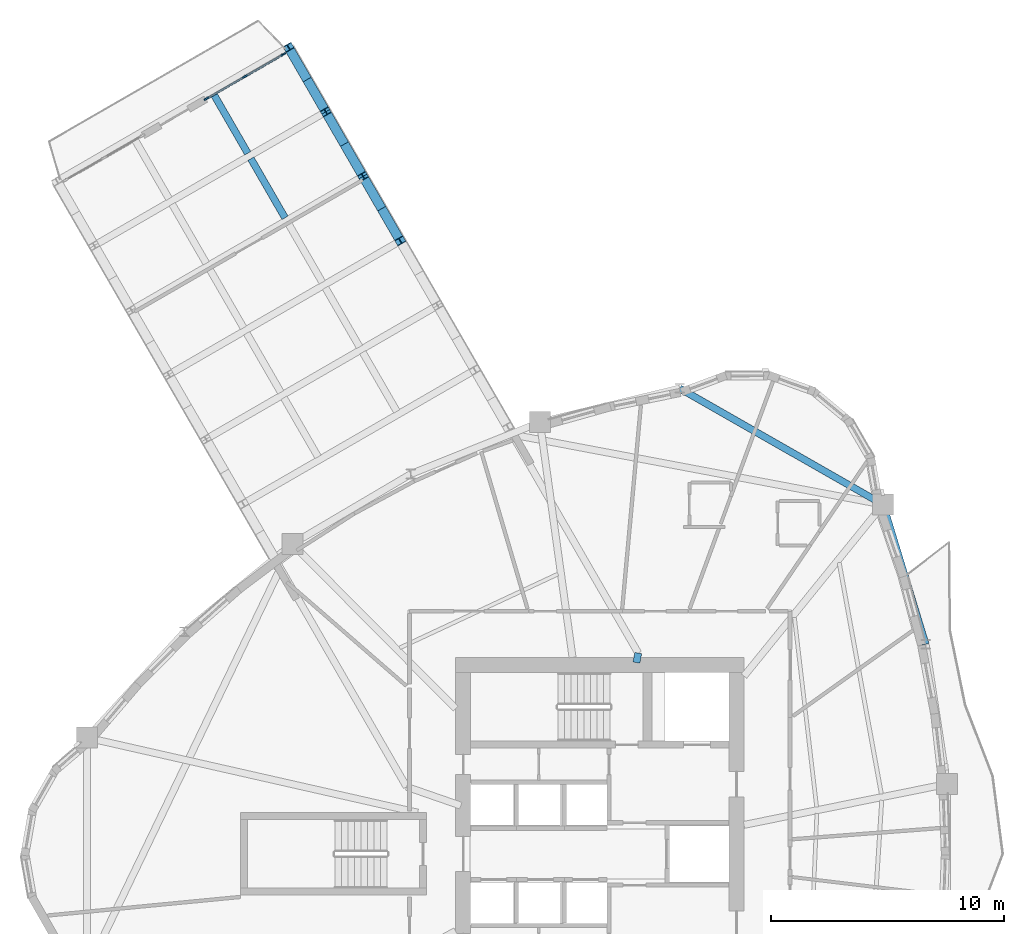
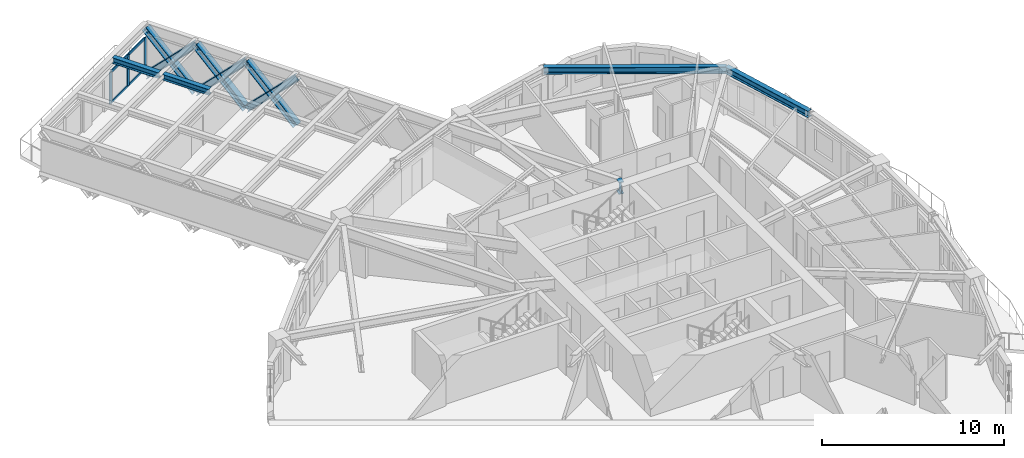
# One storey, part 3 of 14: 13 members, 5 beams, 1 element without a shape of its own.
"""IFC4 building model written with IfcOpenShell, lengths in metres."""

from ifc_helpers import new_model, si_unit, direction, frame, origin, origin_2d, place, context, subcontext, project, spatial, rectangle, i_section, extrude, source, transform, mapped, material, layer, layer_set, material_profile, profile_set, type_object, element, aggregate, save


model = new_model("IFC4")

# Units and contexts
model_context = context("Model", 3, precision=1e-05, world=origin(), true_north=direction((0.0, 1.0)))
body_context = subcontext(model_context, "Body", "Model", "MODEL_VIEW")
ifc_project = project(units=[si_unit("LENGTHUNIT", "METRE"), si_unit("AREAUNIT", "SQUARE_METRE"), si_unit("VOLUMEUNIT", "CUBIC_METRE"), si_unit("PLANEANGLEUNIT", "RADIAN"), si_unit("MASSUNIT", "GRAM", prefix="KILO")], contexts=[model_context])

# Site, building, storey
site_placement = place(None, origin())
site = spatial("IfcSite", under=ifc_project, at=site_placement, CompositionType="ELEMENT")
building_placement = place(site_placement, origin())
building = spatial("IfcBuilding", under=site, at=building_placement, Name="Qafzar Sky-Pleat Residences", CompositionType="ELEMENT")
storey_placement = place(building_placement, frame((0.0, 0.0, 83.199951171875)))
storey = spatial("IfcBuildingStorey", under=building, at=storey_placement, Name="L24", CompositionType="ELEMENT", Elevation=83.199951171875)

# Beams
ifc_material_1 = material(Name="Steel S355", Category="steel")
ifc_material_profile_1 = material_profile(ifc_material_1, i_section(OverallWidth=0.300048828125, OverallDepth=0.449951171875, WebThickness=0.013916015625, FlangeThickness=0.02587890625, FilletRadius=0.027099609375, at=origin_2d()), Name="HEB 450")
ifc_profile_set_1 = profile_set([ifc_material_profile_1], Name="Steel S355")
beam_type_1 = type_object("IfcBeamType", Name="BM-SPAN-HEB450", PredefinedType="SPANDREL", material=ifc_profile_set_1)
shared_shape_1 = source(origin(), body_context, "Body", "SweptSolid", [
    extrude(i_section(OverallWidth=0.300048828125, OverallDepth=0.449951171875, WebThickness=0.013916015625, FlangeThickness=0.02587890625, FilletRadius=0.027099609375, at=origin_2d()), origin(), (0.0, 0.0, 1.0), 10.072021484375),
])
beam_1_placement = place(storey_placement, frame((42.532470703125, 41.01904296875, 2.7080078125), z_axis=(-0.868286397172, 0.496063234363, 0.0), x_axis=(-0.496063234363, -0.868286397172, 0.0)))
element("IfcBeam", 1, at=beam_1_placement, inside=storey, type_object=beam_type_1, Name="L24 Perimeter Spandrel Beam 13", PredefinedType="SPANDREL", context=body_context, shape_type="MappedRepresentation", body=[
    mapped(shared_shape_1, transform((0.0, 0.0, 0.0), x_axis=(1.0, 0.0, 0.0), y_axis=(0.0, 1.0, 0.0), z_axis=(0.0, 0.0, 1.0), scale=1.0)),
])
shared_shape_2 = source(origin(), body_context, "Body", "SweptSolid", [
    extrude(i_section(OverallWidth=0.300048828125, OverallDepth=0.449951171875, WebThickness=0.013916015625, FlangeThickness=0.02587890625, FilletRadius=0.027099609375, at=origin_2d()), origin(), (0.0, 0.0, 1.0), 6.279052734375),
])
beam_2_placement = place(storey_placement, frame((44.35888671875, 35.011474609375, 2.7080078125), z_axis=(-0.290873824385, 0.956761421822, 0.0), x_axis=(-0.956761421822, -0.290873824385, 0.0)))
element("IfcBeam", 2, at=beam_2_placement, inside=storey, type_object=beam_type_1, Name="L24 Perimeter Spandrel Beam 12", PredefinedType="SPANDREL", context=body_context, shape_type="MappedRepresentation", body=[
    mapped(shared_shape_2, transform((0.0, 0.0, 0.0), x_axis=(1.0, 0.0, 0.0), y_axis=(0.0, 1.0, 0.0), z_axis=(0.0, 0.0, 1.0), scale=1.0)),
])
ifc_material_2 = material(Name="Steel S460", Category="steel")
ifc_material_profile_2 = material_profile(ifc_material_2, i_section(OverallWidth=0.300048828125, OverallDepth=0.800048828125, WebThickness=0.017578125, FlangeThickness=0.032958984375, FilletRadius=0.030029296875, at=origin_2d()), Name="HEB 800")
ifc_profile_set_2 = profile_set([ifc_material_profile_2], Name="Steel S460")
beam_type_2 = type_object("IfcBeamType", Name="BM-CHORD-HEB800", PredefinedType="BEAM", material=ifc_profile_set_2)
shared_shape_3 = source(origin(), body_context, "Body", "SweptSolid", [
    extrude(i_section(OverallWidth=0.300048828125, OverallDepth=0.800048828125, WebThickness=0.017578125, FlangeThickness=0.032958984375, FilletRadius=0.030029296875, at=origin_2d()), origin(), (0.0, 0.0, 1.0), 0.416259765625),
])
beam_3_placement = place(storey_placement, frame((32.004638671875, 34.634033203125, 2.531005859375), z_axis=(-0.188216678564, -0.982127528333, 0.0), x_axis=(0.982127528333, -0.188216678564, 0.0)))
element("IfcBeam", 3, at=beam_3_placement, inside=storey, type_object=beam_type_2, Name="L24 SB-2 Core Back-Span Tie Girder R", PredefinedType="BEAM", context=body_context, shape_type="MappedRepresentation", body=[
    mapped(shared_shape_3, transform((0.0, 0.0, 0.0), x_axis=(1.0, 0.0, 0.0), y_axis=(0.0, 1.0, 0.0), z_axis=(0.0, 0.0, 1.0), scale=1.0)),
])

# Members
ifc_material_profile_3 = material_profile(ifc_material_2, i_section(OverallWidth=0.40087890625, OverallDepth=0.39892578125, WebThickness=0.02294921875, FlangeThickness=0.035888671875, FilletRadius=0.014892578125, at=origin_2d()), Name="HD 400x314")
ifc_profile_set_3 = profile_set([ifc_material_profile_3], Name="Steel S460")
member_type_1 = type_object("IfcMemberType", Name="MEM-SB-DIAG", PredefinedType="BRACE", material=ifc_profile_set_3)
shared_shape_4 = source(origin(), body_context, "Body", "SweptSolid", [
    extrude(i_section(OverallWidth=0.40087890625, OverallDepth=0.39892578125, WebThickness=0.02294921875, FlangeThickness=0.035888671875, FilletRadius=0.014892578125, at=origin_2d()), origin(), (0.0, 0.0, 1.0), 4.5283203125),
])
for number, where, z_axis, x_axis, name in (
    (4, (21.77392578125, 52.354248046875, -0.6669921875), (-0.353790834917, 0.612745022681, 0.706665113267), (-0.866011737025, -0.500023670775, 0.0), "L24 SB-2 Truss Web Diagonal R4A"),
    (5, (21.77392578125, 52.354248046875, 2.532958984375), (-0.353790834917, 0.612745022681, -0.706665113267), (-0.866011737025, -0.500023670775, 0.0), "L24 SB-2 Truss Web Diagonal R4B"),
):
    element("IfcMember", number, at=place(storey_placement, frame(where, z_axis=z_axis, x_axis=x_axis)), inside=storey, type_object=member_type_1, Name=name, PredefinedType="BRACE", context=body_context, shape_type="MappedRepresentation", body=[
        mapped(shared_shape_4, transform((0.0, 0.0, 0.0), x_axis=(1.0, 0.0, 0.0), y_axis=(0.0, 1.0, 0.0), z_axis=(0.0, 0.0, 1.0), scale=1.0)),
    ])
shared_shape_5 = source(origin(), body_context, "Body", "SweptSolid", [
    extrude(i_section(OverallWidth=0.40087890625, OverallDepth=0.39892578125, WebThickness=0.02294921875, FlangeThickness=0.035888671875, FilletRadius=0.014892578125, at=origin_2d()), origin(), (0.0, 0.0, 1.0), 4.528076171875),
])
for number, where, z_axis, x_axis, name in (
    (6, (20.171875, 55.12890625, -0.6669921875), (-0.353743666917, 0.612756710031, 0.706678592026), (-0.866044732957, -0.499966519396, 0.0), "L24 SB-2 Truss Web Diagonal R5A"),
    (7, (20.171875, 55.12890625, 2.532958984375), (-0.353743666917, 0.612756710031, -0.706678592026), (-0.866044732957, -0.499966519396, 0.0), "L24 SB-2 Truss Web Diagonal R5B"),
    (8, (18.570068359375, 57.903564453125, -0.6669921875), (-0.353802522888, 0.61271134869, 0.70668845893), (-0.865992683363, -0.500056669151, 0.0), "L24 SB-2 Truss Web Diagonal R6A"),
    (9, (18.570068359375, 57.903564453125, 2.532958984375), (-0.353802522888, 0.61271134869, -0.70668845893), (-0.865992683363, -0.500056669151, 0.0), "L24 SB-2 Truss Web Diagonal R6B"),
):
    element("IfcMember", number, at=place(storey_placement, frame(where, z_axis=z_axis, x_axis=x_axis)), inside=storey, type_object=member_type_1, Name=name, PredefinedType="BRACE", context=body_context, shape_type="MappedRepresentation", body=[
        mapped(shared_shape_5, transform((0.0, 0.0, 0.0), x_axis=(1.0, 0.0, 0.0), y_axis=(0.0, 1.0, 0.0), z_axis=(0.0, 0.0, 1.0), scale=1.0)),
    ])

# Beams
ifc_material_profile_4 = material_profile(ifc_material_1, i_section(OverallWidth=0.300048828125, OverallDepth=0.389892578125, WebThickness=0.010986328125, FlangeThickness=0.01904296875, FilletRadius=0.027099609375, at=origin_2d()), Name="HEA 400")
ifc_profile_set_4 = profile_set([ifc_material_profile_4], Name="Steel S355")
beam_type_3 = type_object("IfcBeamType", Name="BM-SBJ-HEA400", PredefinedType="JOIST", material=ifc_profile_set_4)
shared_shape_6 = source(origin(), body_context, "Body", "SweptSolid", [
    extrude(i_section(OverallWidth=0.300048828125, OverallDepth=0.389892578125, WebThickness=0.010986328125, FlangeThickness=0.01904296875, FilletRadius=0.027099609375, at=origin_2d()), origin(), (0.0, 0.0, 1.0), 2.933837890625),
])
for number, where, z_axis, x_axis, name in (
    (10, (16.81787109375, 53.348388671875, 2.738037109375), (-0.499969776107, 0.866042852854, 0.0), (-0.866042852854, -0.499969776107, 0.0), "L24 SB-2 Sky-Bar Secondary Deck Joist 5.1"),
    (11, (15.216064453125, 56.122802734375, 2.738037109375), (-0.500032187732, 0.866006819391, 0.0), (-0.866006819391, -0.500032187732, 0.0), "L24 SB-2 Sky-Bar Secondary Deck Joist 6.1"),
):
    element("IfcBeam", number, at=place(storey_placement, frame(where, z_axis=z_axis, x_axis=x_axis)), inside=storey, type_object=beam_type_3, Name=name, PredefinedType="JOIST", context=body_context, shape_type="MappedRepresentation", body=[
        mapped(shared_shape_6, transform((0.0, 0.0, 0.0), x_axis=(1.0, 0.0, 0.0), y_axis=(0.0, 1.0, 0.0), z_axis=(0.0, 0.0, 1.0), scale=1.0)),
    ])

# Curtain wall, members
ifc_material_3 = material(Name="Anodised bronze aluminium framing", Category="aluminium")
ifc_layer = layer(ifc_material_3, 0.219970703125)
ifc_layer_set = layer_set([ifc_layer], Name="Anodised bronze aluminium framing")
curtain_wall_type = type_object("IfcCurtainWallType", Name="CW-SYS-03", PredefinedType="NOTDEFINED", material=ifc_layer_set)
curtain_wall_placement = place(storey_placement, origin())
curtain_wall = element("IfcCurtainWall", 12, at=curtain_wall_placement, inside=storey, type_object=curtain_wall_type, Name="L24 CW-03 Curtain Wall CW-L24-SB-2-PROW-R", PredefinedType="NOTDEFINED")
ifc_material_4 = material(Name="Anodised bronze aluminium", Category="aluminium")
ifc_material_profile_5 = material_profile(ifc_material_4, rectangle(XDim=0.070068359375, YDim=0.219970703125, at=origin_2d()), Name="ALU MULLION 70x220")
ifc_profile_set_5 = profile_set([ifc_material_profile_5], Name="Anodised bronze aluminium")
member_type_2 = type_object("IfcMemberType", Name="CWM-03", PredefinedType="MULLION", material=ifc_profile_set_5)
shared_shape_7 = source(origin(), body_context, "Body", "SweptSolid", [
    extrude(rectangle(XDim=0.070068359375, YDim=0.219970703125, at=origin_2d()), origin(), (0.0, 0.0, 1.0), 2.114990234375),
])
member_1_placement = place(storey_placement, frame((13.44482421875, 58.470703125, 0.0), z_axis=(0.0, 0.0, 1.0), x_axis=(-0.49999760802, 0.86602678479, 0.0)))
member_1 = element("IfcMember", 13, at=member_1_placement, type_object=member_type_2, Name="CW-03 mullion 1", PredefinedType="MULLION", context=body_context, shape_type="MappedRepresentation", body=[
    mapped(shared_shape_7, transform((0.0, 0.0, 0.0), x_axis=(1.0, 0.0, 0.0), y_axis=(0.0, 1.0, 0.0), z_axis=(0.0, 0.0, 1.0), scale=1.0)),
])
member_2_placement = place(storey_placement, frame((15.094482421875, 59.423095703125, 0.0), z_axis=(0.0, 0.0, 1.0), x_axis=(-0.49999760802, 0.86602678479, 0.0)))
member_2 = element("IfcMember", 14, at=member_2_placement, type_object=member_type_2, Name="CW-03 mullion 2", PredefinedType="MULLION", context=body_context, shape_type="MappedRepresentation", body=[
    mapped(shared_shape_7, transform((0.0, 0.0, 0.0), x_axis=(1.0, 0.0, 0.0), y_axis=(0.0, 1.0, 0.0), z_axis=(0.0, 0.0, 1.0), scale=1.0)),
])
member_3_placement = place(storey_placement, frame((16.744384765625, 60.37548828125, 0.0), z_axis=(0.0, 0.0, 1.0), x_axis=(-0.49999760802, 0.86602678479, 0.0)))
member_3 = element("IfcMember", 15, at=member_3_placement, type_object=member_type_2, Name="CW-03 mullion 3", PredefinedType="MULLION", context=body_context, shape_type="MappedRepresentation", body=[
    mapped(shared_shape_7, transform((0.0, 0.0, 0.0), x_axis=(1.0, 0.0, 0.0), y_axis=(0.0, 1.0, 0.0), z_axis=(0.0, 0.0, 1.0), scale=1.0)),
])
ifc_material_profile_6 = material_profile(ifc_material_4, rectangle(XDim=0.070068359375, YDim=0.1650390625, at=origin_2d()), Name="ALU TRANSOM 70x165")
ifc_profile_set_6 = profile_set([ifc_material_profile_6], Name="Anodised bronze aluminium")
member_type_3 = type_object("IfcMemberType", Name="CWT-03", PredefinedType="USERDEFINED", material=ifc_profile_set_6)
shared_shape_8 = source(origin(), body_context, "Body", "SweptSolid", [
    extrude(rectangle(XDim=0.070068359375, YDim=0.1650390625, at=origin_2d()), origin(), (0.0, 0.0, 1.0), 1.8349609375),
])
member_4_placement = place(storey_placement, frame((13.47509765625, 58.488037109375, 0.03515625), z_axis=(0.866023842607, 0.500002704028, 0.0), x_axis=(-0.500002704028, 0.866023842607, 0.0)))
member_4 = element("IfcMember", 16, at=member_4_placement, type_object=member_type_3, Name="CW-03 transom 1.1", ObjectType="TRANSOM", PredefinedType="USERDEFINED", context=body_context, shape_type="MappedRepresentation", body=[
    mapped(shared_shape_8, transform((0.0, 0.0, 0.0), x_axis=(1.0, 0.0, 0.0), y_axis=(0.0, 1.0, 0.0), z_axis=(0.0, 0.0, 1.0), scale=1.0)),
])
member_5_placement = place(storey_placement, frame((13.47509765625, 58.488037109375, 2.080078125), z_axis=(0.866023842607, 0.500002704028, 0.0), x_axis=(-0.500002704028, 0.866023842607, 0.0)))
member_5 = element("IfcMember", 17, at=member_5_placement, type_object=member_type_3, Name="CW-03 transom 1.2", ObjectType="TRANSOM", PredefinedType="USERDEFINED", context=body_context, shape_type="MappedRepresentation", body=[
    mapped(shared_shape_8, transform((0.0, 0.0, 0.0), x_axis=(1.0, 0.0, 0.0), y_axis=(0.0, 1.0, 0.0), z_axis=(0.0, 0.0, 1.0), scale=1.0)),
])
member_6_placement = place(storey_placement, frame((15.125, 59.440673828125, 0.03515625), z_axis=(0.866023842607, 0.500002704028, 0.0), x_axis=(-0.500002704028, 0.866023842607, 0.0)))
member_6 = element("IfcMember", 18, at=member_6_placement, type_object=member_type_3, Name="CW-03 transom 2.1", ObjectType="TRANSOM", PredefinedType="USERDEFINED", context=body_context, shape_type="MappedRepresentation", body=[
    mapped(shared_shape_8, transform((0.0, 0.0, 0.0), x_axis=(1.0, 0.0, 0.0), y_axis=(0.0, 1.0, 0.0), z_axis=(0.0, 0.0, 1.0), scale=1.0)),
])
member_7_placement = place(storey_placement, frame((15.125, 59.440673828125, 2.080078125), z_axis=(0.866023842607, 0.500002704028, 0.0), x_axis=(-0.500002704028, 0.866023842607, 0.0)))
member_7 = element("IfcMember", 19, at=member_7_placement, type_object=member_type_3, Name="CW-03 transom 2.2", ObjectType="TRANSOM", PredefinedType="USERDEFINED", context=body_context, shape_type="MappedRepresentation", body=[
    mapped(shared_shape_8, transform((0.0, 0.0, 0.0), x_axis=(1.0, 0.0, 0.0), y_axis=(0.0, 1.0, 0.0), z_axis=(0.0, 0.0, 1.0), scale=1.0)),
])
aggregate(curtain_wall, [member_1, member_2, member_3, member_4, member_5, member_6, member_7])

save(model, "model.ifc")
